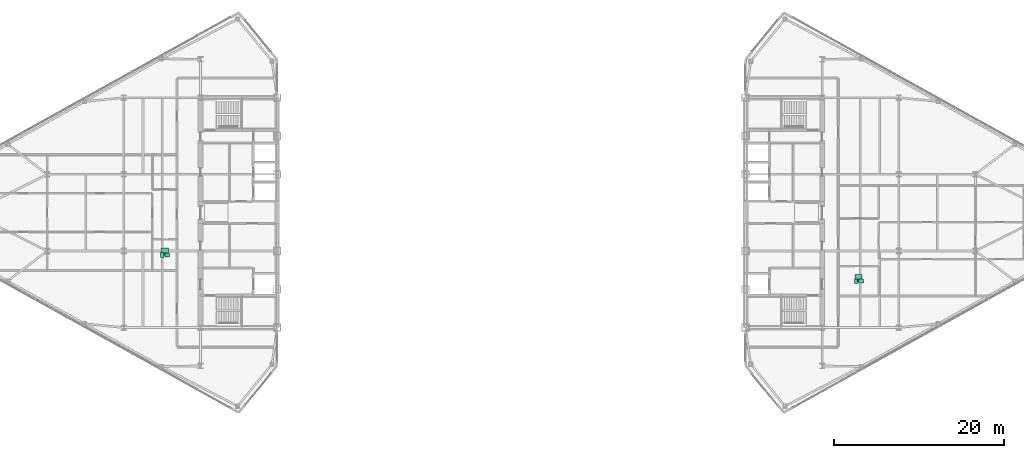
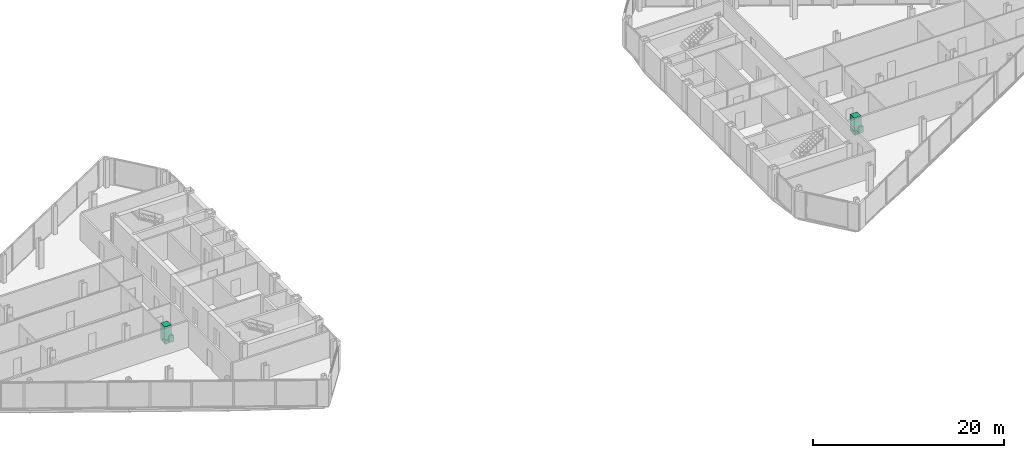
# One storey, part 25 of 25: 6 sanitary terminals.
"""IFC4 building model written with IfcOpenShell, lengths in metres."""

from ifc_helpers import new_model, si_unit, direction, frame, origin, origin_2d, place, context, subcontext, project, spatial, rectangle, extrude, source, transform, mapped, material, type_object, type_shapes, element, save


model = new_model("IFC4")

# Units and contexts
model_context = context("Model", 3, precision=1e-05, world=origin(), true_north=direction((0.0, 1.0)))
body_context = subcontext(model_context, "Body", "Model", "MODEL_VIEW")
ifc_project = project(units=[si_unit("LENGTHUNIT", "METRE"), si_unit("AREAUNIT", "SQUARE_METRE"), si_unit("VOLUMEUNIT", "CUBIC_METRE"), si_unit("PLANEANGLEUNIT", "RADIAN"), si_unit("MASSUNIT", "GRAM", prefix="KILO")], contexts=[model_context])

# Site, building, storey
site_placement = place(None, origin())
site = spatial("IfcSite", under=ifc_project, at=site_placement, CompositionType="ELEMENT")
building_placement = place(site_placement, origin())
building = spatial("IfcBuilding", under=site, at=building_placement, Name="Seokmaru Belvedere", CompositionType="ELEMENT")
storey_placement = place(building_placement, frame((0.0, 0.0, 188.699951171875)))
storey = spatial("IfcBuildingStorey", under=building, at=storey_placement, Name="L50", CompositionType="ELEMENT", Elevation=188.699951171875)

# Sanitary terminals
ifc_material_1 = material(Name="Vitreous China Sanitaryware")
sanitary_terminal_type_1 = type_object("IfcSanitaryTerminalType", Name="Wall-Hung Vitreous China WC Pan", PredefinedType="TOILETPAN", material=ifc_material_1)
shared_shape_1 = source(origin(), body_context, "Body", "SweptSolid", [
    extrude(rectangle(XDim=0.3798828125, YDim=0.56005859375, at=origin_2d()), origin(), (0.0, 0.0, 1.0), 0.419921875),
])
type_shapes(sanitary_terminal_type_1, [shared_shape_1])
for number, where, z_axis, x_axis, name in (
    (1, (-41.0, -4.965087890625, 0.0), (0.0, 0.0, 1.0), (1.0, 0.0, 0.0), "L50 Vitreous China WC 0247"),
    (2, (40.47509765625, -8.0458984375, 0.0), (0.0, 0.0, 1.0), (1.0, 0.0, 0.0), "L50 Vitreous China WC 0248"),
):
    element("IfcSanitaryTerminal", number, at=place(storey_placement, frame(where, z_axis=z_axis, x_axis=x_axis)), inside=storey, type_object=sanitary_terminal_type_1, Name=name, PredefinedType="TOILETPAN", context=body_context, shape_type="MappedRepresentation", body=[
        mapped(shared_shape_1, transform((0.0, 0.0, 0.0), scale=1.0)),
    ])
sanitary_terminal_type_2 = type_object("IfcSanitaryTerminalType", Name="Countertop Ceramic Washhand Basin", PredefinedType="WASHHANDBASIN", material=ifc_material_1)
shared_shape_2 = source(origin(), body_context, "Body", "SweptSolid", [
    extrude(rectangle(XDim=0.550048828125, YDim=0.449951171875, at=origin_2d()), origin(), (0.0, 0.0, 1.0), 0.820068359375),
])
type_shapes(sanitary_terminal_type_2, [shared_shape_2])
for number, where, z_axis, x_axis, name in (
    (3, (-40.39990234375, -4.965087890625, 0.0), (0.0, 0.0, 1.0), (1.0, 0.0, 0.0), "L50 Ceramic Washhand Basin 0247"),
    (4, (41.074951171875, -8.0458984375, 0.0), (0.0, 0.0, 1.0), (1.0, 0.0, 0.0), "L50 Ceramic Washhand Basin 0248"),
):
    element("IfcSanitaryTerminal", number, at=place(storey_placement, frame(where, z_axis=z_axis, x_axis=x_axis)), inside=storey, type_object=sanitary_terminal_type_2, Name=name, PredefinedType="WASHHANDBASIN", context=body_context, shape_type="MappedRepresentation", body=[
        mapped(shared_shape_2, transform((0.0, 0.0, 0.0), scale=1.0)),
    ])
ifc_material_2 = material(Name="Stainless Steel 316", Category="steel")
sanitary_terminal_type_3 = type_object("IfcSanitaryTerminalType", Name="Walk-In Thermostatic Rain Shower Enclosure", PredefinedType="SHOWER", material=ifc_material_2)
shared_shape_3 = source(origin(), body_context, "Body", "SweptSolid", [
    extrude(rectangle(XDim=0.85009765625, YDim=0.85009765625, at=origin_2d()), origin(), (0.0, 0.0, 1.0), 2.050048828125),
])
type_shapes(sanitary_terminal_type_3, [shared_shape_3])
for number, where, z_axis, x_axis, name in (
    (5, (-40.699951171875, -4.5849609375, 0.0), (0.0, 0.0, 1.0), (1.0, 0.0, 0.0), "L50 Walk-In Shower 0247"),
    (6, (40.77490234375, -7.666015625, 0.0), (0.0, 0.0, 1.0), (1.0, 0.0, 0.0), "L50 Walk-In Shower 0248"),
):
    element("IfcSanitaryTerminal", number, at=place(storey_placement, frame(where, z_axis=z_axis, x_axis=x_axis)), inside=storey, type_object=sanitary_terminal_type_3, Name=name, PredefinedType="SHOWER", context=body_context, shape_type="MappedRepresentation", body=[
        mapped(shared_shape_3, transform((0.0, 0.0, 0.0), scale=1.0)),
    ])

save(model, "model.ifc")
